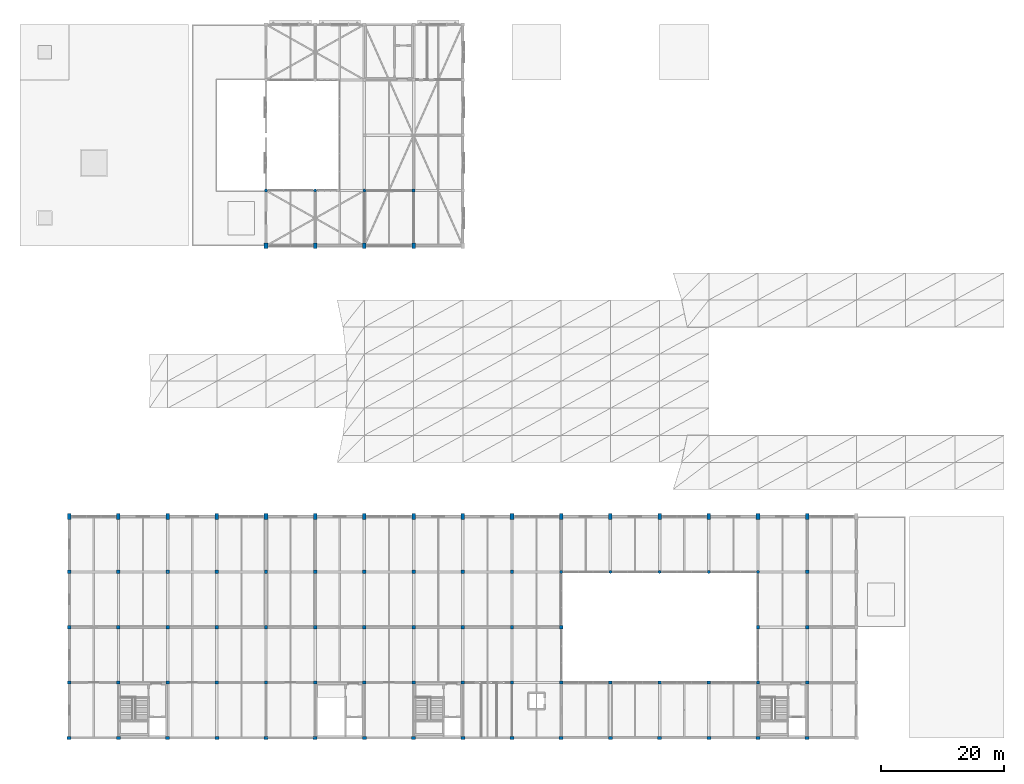
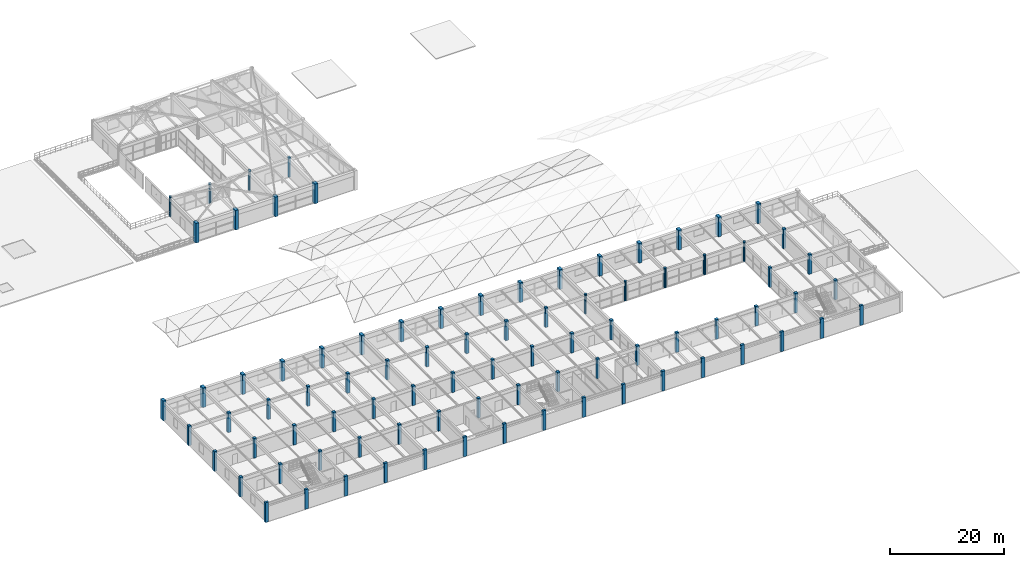
# One storey, part 1 of 63: 85 columns.
"""IFC4 building model written with IfcOpenShell, lengths in metres."""

import ifcopenshell
import ifcopenshell.guid

model = None  # the IFC model being written
_history = None  # IfcOwnerHistory: only IFC2X3 demands one
_inside = {}  # id of a spatial element -> (the spatial element, [elements in it])
_under = {}  # id of a project, library or spatial element -> (it, [spatial elements below it])
_declared = {}  # id of a project -> (the project, [libraries it declares])
_typed = {}  # id of a type object -> (the type object, [elements of that type])
_made_of = {}  # id of a material, layer set ... -> (it, [elements and type objects made of it])


def new_model(schema):
    """Start an empty IFC model of exactly this schema.

    Asked for "IFC4X3", IfcOpenShell would pick the latest addendum, in which some entities
    have other attributes; the version numbers below select the first issue.
    IFC2X3 requires an IfcOwnerHistory on every rooted entity: one is made here for all.
    """
    global model, _history
    if schema == "IFC4X3":
        model = ifcopenshell.file(schema_version=(4, 3, 0, 0))
    else:
        model = ifcopenshell.file(schema=schema)
    _inside.clear()
    _under.clear()
    _declared.clear()
    _typed.clear()
    _made_of.clear()
    _history = None
    if model.schema == "IFC2X3":
        org = make("IfcOrganization", Name="unknown")
        user = make(
            "IfcPersonAndOrganization",
            ThePerson=make("IfcPerson", FamilyName="unknown"),
            TheOrganization=org,
        )
        app = make(
            "IfcApplication",
            ApplicationDeveloper=org,
            Version="unknown",
            ApplicationFullName="unknown",
            ApplicationIdentifier="unknown",
        )
        _history = make(
            "IfcOwnerHistory",
            OwningUser=user,
            OwningApplication=app,
            ChangeAction="ADDED",
            CreationDate=0,
        )
    return model


def make(cls, **values):
    """One entity of the class cls with the attributes given. An attribute that is None is left unset."""
    return model.create_entity(
        cls, **{name: value for name, value in values.items() if value is not None}
    )


def rooted(cls, **values):
    """An entity with a GlobalId (a new one), such as an element, a storey or a relation."""
    return make(cls, GlobalId=ifcopenshell.guid.new(), OwnerHistory=_history, **values)


def si_unit(unit_type, name, prefix=None):
    """IfcSIUnit, for example si_unit("LENGTHUNIT", "METRE", prefix="MILLI")."""
    return make("IfcSIUnit", UnitType=unit_type, Prefix=prefix, Name=name)


def assignment(units):
    """IfcUnitAssignment: the units of a project."""
    return None if units is None else make("IfcUnitAssignment", Units=units)


def point(xyz):
    """IfcCartesianPoint."""
    return None if xyz is None else make("IfcCartesianPoint", Coordinates=xyz)


def direction(xyz):
    """IfcDirection."""
    return None if xyz is None else make("IfcDirection", DirectionRatios=xyz)


def frame(location, z_axis=None, x_axis=None):
    """IfcAxis2Placement3D, a coordinate frame: its origin and axes. An axis left out is left unset."""
    return make(
        "IfcAxis2Placement3D",
        Location=point(location),
        Axis=direction(z_axis),
        RefDirection=direction(x_axis),
    )


def frame_2d(location, x_axis=None):
    """IfcAxis2Placement2D, a coordinate frame in the plane: its origin and x axis."""
    return make(
        "IfcAxis2Placement2D", Location=point(location), RefDirection=direction(x_axis)
    )


def origin():
    """The frame at (0, 0, 0) with its axes left unset."""
    return frame((0.0, 0.0, 0.0))


def origin_2d():
    """The frame at (0, 0) in the plane with its x axis left unset."""
    return frame_2d((0.0, 0.0))


def place(relative_to, where):
    """IfcLocalPlacement: puts the frame where relative to a parent placement (None: the world)."""
    return make(
        "IfcLocalPlacement", PlacementRelTo=relative_to, RelativePlacement=where
    )


def context(
    kind, dimensions, precision=None, world=None, true_north=None, identifier=None
):
    """IfcGeometricRepresentationContext, for example the 3D "Model" context."""
    return make(
        "IfcGeometricRepresentationContext",
        ContextIdentifier=identifier,
        ContextType=kind,
        CoordinateSpaceDimension=dimensions,
        Precision=precision,
        WorldCoordinateSystem=world,
        TrueNorth=true_north,
    )


def subcontext(parent, identifier, kind, view, scale=None):
    """IfcGeometricRepresentationSubContext, for example "Body" below "Model"."""
    return make(
        "IfcGeometricRepresentationSubContext",
        ContextIdentifier=identifier,
        ContextType=kind,
        ParentContext=parent,
        TargetScale=scale,
        TargetView=view,
    )


def project(units=None, contexts=None):
    """IfcProject with its units and contexts."""
    return rooted(
        "IfcProject",
        Name="project",
        RepresentationContexts=contexts,
        UnitsInContext=assignment(units),
    )


def spatial(cls, under=None, at=None, **own):
    """A site, building, storey or space (cls), placed at a placement, below another one or the project."""
    s = rooted(cls, ObjectPlacement=at, **own)
    if under is not None:
        _under.setdefault(under.id(), (under, []))[1].append(s)
    return s


def profile(cls, at=None, kind="AREA", **sizes):
    """A parametric profile (cls). Its sizes go by their IFC names, for example OverallWidth=200.0."""
    return make(cls, ProfileType=kind, Position=at, **sizes)


def rectangle(**sizes):
    """IfcRectangleProfileDef."""
    return profile("IfcRectangleProfileDef", **sizes)


def circle(**sizes):
    """IfcCircleProfileDef."""
    return profile("IfcCircleProfileDef", **sizes)


def extrude(swept, where, along, depth):
    """IfcExtrudedAreaSolid: the profile swept, set in the frame where, extruded along a direction by depth."""
    return make(
        "IfcExtrudedAreaSolid",
        SweptArea=swept,
        Position=where,
        ExtrudedDirection=direction(along),
        Depth=depth,
    )


def shape(context_of_items, identifier, shape_type, items):
    """IfcShapeRepresentation: the items that make up one representation, for example the "Body"."""
    return make(
        "IfcShapeRepresentation",
        ContextOfItems=context_of_items,
        RepresentationIdentifier=identifier,
        RepresentationType=shape_type,
        Items=items,
    )


def material(Name=None, Category=None):
    """IfcMaterial."""
    return make("IfcMaterial", Name=Name, Category=Category)


def material_profile(
    of_material, cross_section, Name=None, Category=None, Priority=None
):
    """IfcMaterialProfile: a cross section and its material."""
    return make(
        "IfcMaterialProfile",
        Name=Name,
        Material=of_material,
        Profile=cross_section,
        Priority=Priority,
        Category=Category,
    )


def profile_set(profiles, Name=None, composite=None):
    """IfcMaterialProfileSet."""
    return make(
        "IfcMaterialProfileSet",
        Name=Name,
        MaterialProfiles=profiles,
        CompositeProfile=composite,
    )


def made_of(thing, what):
    """Note that an element or type object is made of a material, layer set ...; save() writes the relation."""
    if what is not None:
        _made_of.setdefault(what.id(), (what, []))[1].append(thing)
    return thing


def type_object(cls, material=None, **own):
    """A type object (cls), such as IfcWallType, which elements share."""
    return made_of(rooted(cls, **own), material)


def element(
    cls,
    number,
    at=None,
    inside=None,
    cuts=None,
    type_object=None,
    material=None,
    context=None,
    identifier="Body",
    shape_type=None,
    held_by="IfcProductDefinitionShape",
    body=None,
    shapes=None,
    **own,
):
    """One element of the class cls, such as IfcWall. Its Tag is "e" and its number.

    at: its placement. inside: the storey or other place that contains it. cuts: it is an
    opening in that element (IfcRelVoidsElement). A single representation is given by context,
    identifier, shape_type and body (its items); several are given by shapes. held_by: the class
    of the entity that holds the representations. save() writes the other relations.
    """
    e = rooted(cls, Tag="e%d" % number, ObjectPlacement=at, **own)
    if body is not None:
        shapes = [shape(context, identifier, shape_type, body)]
    if shapes is not None:
        e.Representation = make(held_by, Representations=shapes)
    if inside is not None:
        _inside.setdefault(inside.id(), (inside, []))[1].append(e)
    if cuts is not None:
        rooted(
            "IfcRelVoidsElement", RelatingBuildingElement=cuts, RelatedOpeningElement=e
        )
    if type_object is not None:
        _typed.setdefault(type_object.id(), (type_object, []))[1].append(e)
    return made_of(e, material)


def aggregate(whole, parts):
    """IfcRelAggregates: a whole, such as a stair, and the parts it consists of."""
    return rooted("IfcRelAggregates", RelatingObject=whole, RelatedObjects=parts)


def save(model, path):
    """Write the relations noted so far, then the file.

    IfcRelAggregates (storeys below a building ...), IfcRelContainedInSpatialStructure (elements
    in a storey), IfcRelDefinesByType, IfcRelAssociatesMaterial and IfcRelDeclares: one each for
    every whole, place, type object, material and project.
    """
    for whole, parts in _under.values():
        aggregate(whole, parts)
    for where, things in _inside.values():
        rooted(
            "IfcRelContainedInSpatialStructure",
            RelatedElements=things,
            RelatingStructure=where,
        )
    for kind, things in _typed.values():
        rooted("IfcRelDefinesByType", RelatedObjects=things, RelatingType=kind)
    for what, things in _made_of.values():
        rooted("IfcRelAssociatesMaterial", RelatedObjects=things, RelatingMaterial=what)
    for by, libraries in _declared.values():
        rooted("IfcRelDeclares", RelatingContext=by, RelatedDefinitions=libraries)
    model.write(path)


model = new_model("IFC4")

# Units and contexts
model_context = context("Model", 3, precision=1e-05, world=origin(), true_north=direction((0.0, 1.0)))
body_context = subcontext(model_context, "Body", "Model", "MODEL_VIEW")
ifc_project = project(units=[si_unit("LENGTHUNIT", "METRE"), si_unit("AREAUNIT", "SQUARE_METRE"), si_unit("VOLUMEUNIT", "CUBIC_METRE"), si_unit("PLANEANGLEUNIT", "RADIAN"), si_unit("MASSUNIT", "GRAM", prefix="KILO")], contexts=[model_context])

# Site, building, storey
site_placement = place(None, origin())
site = spatial("IfcSite", under=ifc_project, at=site_placement, CompositionType="ELEMENT")
building_placement = place(site_placement, origin())
building = spatial("IfcBuilding", under=site, at=building_placement, Name="Varnabhumi Central Station", CompositionType="ELEMENT")
storey_placement = place(building_placement, frame((0.0, 0.0, 20.39990234375)))
storey = spatial("IfcBuildingStorey", under=building, at=storey_placement, Name="L04", CompositionType="ELEMENT", Elevation=20.39990234375)

# Columns
ifc_material = material(Name="Concrete M40", Category="concrete")
ifc_material_profile_1 = material_profile(ifc_material, rectangle(XDim=0.449951171875, YDim=0.449951171875, at=origin_2d()), Name="Concrete M40", Category="concrete")
ifc_profile_set_1 = profile_set([ifc_material_profile_1], Name="Concrete M40")
column_type_1 = type_object("IfcColumnType", Name="COL-RC-450", PredefinedType="COLUMN", material=ifc_profile_set_1)
column_placement = place(storey_placement, frame((88.0, 89.0, 0.0), z_axis=(0.0, 0.0, 1.0), x_axis=(1.0, 0.0, 0.0)))
element("IfcColumn", 1, at=column_placement, inside=storey, type_object=column_type_1, Name="Column L04-12L", PredefinedType="COLUMN", context=body_context, shape_type="SweptSolid", body=[
    extrude(rectangle(XDim=0.449951171875, YDim=0.449951171875, at=origin_2d()), origin(), (0.0, 0.0, 1.0), 4.2001953125),
])
ifc_material_profile_2 = material_profile(ifc_material, rectangle(XDim=0.550048828125, YDim=0.550048828125, at=origin_2d()), Name="Concrete M40", Category="concrete")
ifc_profile_set_2 = profile_set([ifc_material_profile_2], Name="Concrete M40")
column_type_2 = type_object("IfcColumnType", Name="COL-RC-550", PredefinedType="COLUMN", material=ifc_profile_set_2)
for number, where, z_axis, x_axis, name in (
    (2, (32.0, 9.0, 0.0), (0.0, 0.0, 1.0), (1.0, 0.0, 0.0), "Column L04-5B"),
    (3, (32.0, 18.0, 0.0), (0.0, 0.0, 1.0), (1.0, 0.0, 0.0), "Column L04-5C"),
    (4, (32.0, 27.0, 0.0), (0.0, 0.0, 1.0), (1.0, 0.0, 0.0), "Column L04-5D"),
    (5, (40.0, 9.0, 0.0), (0.0, 0.0, 1.0), (1.0, 0.0, 0.0), "Column L04-6B"),
    (6, (40.0, 18.0, 0.0), (0.0, 0.0, 1.0), (1.0, 0.0, 0.0), "Column L04-6C"),
    (7, (40.0, 27.0, 0.0), (0.0, 0.0, 1.0), (1.0, 0.0, 0.0), "Column L04-6D"),
    (8, (48.0, 9.0, 0.0), (0.0, 0.0, 1.0), (1.0, 0.0, 0.0), "Column L04-7B"),
    (9, (48.0, 18.0, 0.0), (0.0, 0.0, 1.0), (1.0, 0.0, 0.0), "Column L04-7C"),
    (10, (48.0, 27.0, 0.0), (0.0, 0.0, 1.0), (1.0, 0.0, 0.0), "Column L04-7D"),
    (11, (56.0, 9.0, 0.0), (0.0, 0.0, 1.0), (1.0, 0.0, 0.0), "Column L04-8B"),
    (12, (56.0, 18.0, 0.0), (0.0, 0.0, 1.0), (1.0, 0.0, 0.0), "Column L04-8C"),
    (13, (56.0, 27.0, 0.0), (0.0, 0.0, 1.0), (1.0, 0.0, 0.0), "Column L04-8D"),
    (14, (64.0, 9.0, 0.0), (0.0, 0.0, 1.0), (1.0, 0.0, 0.0), "Column L04-9B"),
    (15, (64.0, 18.0, 0.0), (0.0, 0.0, 1.0), (1.0, 0.0, 0.0), "Column L04-9C"),
    (16, (64.0, 27.0, 0.0), (0.0, 0.0, 1.0), (1.0, 0.0, 0.0), "Column L04-9D"),
    (17, (72.0, 9.0, 0.0), (0.0, 0.0, 1.0), (1.0, 0.0, 0.0), "Column L04-10B"),
    (18, (72.0, 18.0, 0.0), (0.0, 0.0, 1.0), (1.0, 0.0, 0.0), "Column L04-10C"),
    (19, (72.0, 27.0, 0.0), (0.0, 0.0, 1.0), (1.0, 0.0, 0.0), "Column L04-10D"),
    (20, (80.0, 9.0, 0.0), (0.0, 0.0, 1.0), (1.0, 0.0, 0.0), "Column L04-11B"),
    (21, (80.0, 18.0, 0.0), (0.0, 0.0, 1.0), (1.0, 0.0, 0.0), "Column L04-11C"),
    (22, (80.0, 27.0, 0.0), (0.0, 0.0, 1.0), (1.0, 0.0, 0.0), "Column L04-11D"),
    (23, (88.0, 9.0, 0.0), (0.0, 0.0, 1.0), (1.0, 0.0, 0.0), "Column L04-12B"),
    (24, (88.0, 18.0, 0.0), (0.0, 0.0, 1.0), (1.0, 0.0, 0.0), "Column L04-12C"),
    (25, (88.0, 27.0, 0.0), (0.0, 0.0, 1.0), (1.0, 0.0, 0.0), "Column L04-12D"),
    (26, (96.0, 9.0, 0.0), (0.0, 0.0, 1.0), (1.0, 0.0, 0.0), "Column L04-13B"),
    (27, (96.0, 18.0, 0.0), (0.0, 0.0, 1.0), (1.0, 0.0, 0.0), "Column L04-13C"),
    (28, (96.0, 27.0, 0.0), (0.0, 0.0, 1.0), (1.0, 0.0, 0.0), "Column L04-13D"),
    (29, (104.0, 9.0, 0.0), (0.0, 0.0, 1.0), (1.0, 0.0, 0.0), "Column L04-14B"),
    (30, (104.0, 18.0, 0.0), (0.0, 0.0, 1.0), (1.0, 0.0, 0.0), "Column L04-14C"),
    (31, (104.0, 27.0, 0.0), (0.0, 0.0, 1.0), (1.0, 0.0, 0.0), "Column L04-14D"),
    (32, (112.0, 9.0, 0.0), (0.0, 0.0, 1.0), (1.0, 0.0, 0.0), "Column L04-15B"),
    (33, (112.0, 18.0, 0.0), (0.0, 0.0, 1.0), (1.0, 0.0, 0.0), "Column L04-15C"),
    (34, (120.0, 9.0, 0.0), (0.0, 0.0, 1.0), (1.0, 0.0, 0.0), "Column L04-16B"),
    (35, (128.0, 9.0, 0.0), (0.0, 0.0, 1.0), (1.0, 0.0, 0.0), "Column L04-17B"),
    (36, (136.0, 9.0, 0.0), (0.0, 0.0, 1.0), (1.0, 0.0, 0.0), "Column L04-18B"),
    (37, (144.0, 9.0, 0.0), (0.0, 0.0, 1.0), (1.0, 0.0, 0.0), "Column L04-19B"),
    (38, (144.0, 18.0, 0.0), (0.0, 0.0, 1.0), (1.0, 0.0, 0.0), "Column L04-19C"),
    (39, (152.0, 9.0, 0.0), (0.0, 0.0, 1.0), (1.0, 0.0, 0.0), "Column L04-20B"),
    (40, (152.0, 18.0, 0.0), (0.0, 0.0, 1.0), (1.0, 0.0, 0.0), "Column L04-20C"),
    (41, (152.0, 27.0, 0.0), (0.0, 0.0, 1.0), (1.0, 0.0, 0.0), "Column L04-20D"),
):
    element("IfcColumn", number, at=place(storey_placement, frame(where, z_axis=z_axis, x_axis=x_axis)), inside=storey, type_object=column_type_2, Name=name, PredefinedType="COLUMN", context=body_context, shape_type="SweptSolid", body=[
        extrude(rectangle(XDim=0.550048828125, YDim=0.550048828125, at=origin_2d()), origin(), (0.0, 0.0, 1.0), 4.2001953125),
    ])
ifc_material_profile_3 = material_profile(ifc_material, rectangle(XDim=0.64990234375, YDim=0.449951171875, at=origin_2d()), Name="Concrete M40", Category="concrete")
ifc_profile_set_3 = profile_set([ifc_material_profile_3], Name="Concrete M40")
column_type_3 = type_object("IfcColumnType", Name="COL-RC-650x450", PredefinedType="PILASTER", material=ifc_profile_set_3)
for number, where, z_axis, x_axis, name in (
    (42, (32.0, 0.0, 0.0), (0.0, 0.0, 1.0), (1.0, 0.0, 0.0), "Column L04-5A"),
    (43, (40.0, 0.0, 0.0), (0.0, 0.0, 1.0), (1.0, 0.0, 0.0), "Column L04-6A"),
    (44, (48.0, 0.0, 0.0), (0.0, 0.0, 1.0), (1.0, 0.0, 0.0), "Column L04-7A"),
    (45, (56.0, 0.0, 0.0), (0.0, 0.0, 1.0), (1.0, 0.0, 0.0), "Column L04-8A"),
    (46, (64.0, 0.0, 0.0), (0.0, 0.0, 1.0), (1.0, 0.0, 0.0), "Column L04-9A"),
    (47, (72.0, 0.0, 0.0), (0.0, 0.0, 1.0), (1.0, 0.0, 0.0), "Column L04-10A"),
    (48, (80.0, 0.0, 0.0), (0.0, 0.0, 1.0), (1.0, 0.0, 0.0), "Column L04-11A"),
    (49, (88.0, 0.0, 0.0), (0.0, 0.0, 1.0), (1.0, 0.0, 0.0), "Column L04-12A"),
    (50, (96.0, 0.0, 0.0), (0.0, 0.0, 1.0), (1.0, 0.0, 0.0), "Column L04-13A"),
    (51, (104.0, 0.0, 0.0), (0.0, 0.0, 1.0), (1.0, 0.0, 0.0), "Column L04-14A"),
    (52, (112.0, 0.0, 0.0), (0.0, 0.0, 1.0), (1.0, 0.0, 0.0), "Column L04-15A"),
    (53, (120.0, 0.0, 0.0), (0.0, 0.0, 1.0), (1.0, 0.0, 0.0), "Column L04-16A"),
    (54, (128.0, 0.0, 0.0), (0.0, 0.0, 1.0), (1.0, 0.0, 0.0), "Column L04-17A"),
    (55, (136.0, 0.0, 0.0), (0.0, 0.0, 1.0), (1.0, 0.0, 0.0), "Column L04-18A"),
    (56, (144.0, 0.0, 0.0), (0.0, 0.0, 1.0), (1.0, 0.0, 0.0), "Column L04-19A"),
    (57, (152.0, 0.0, 0.0), (0.0, 0.0, 1.0), (1.0, 0.0, 0.0), "Column L04-20A"),
):
    element("IfcColumn", number, at=place(storey_placement, frame(where, z_axis=z_axis, x_axis=x_axis)), inside=storey, type_object=column_type_3, Name=name, PredefinedType="PILASTER", context=body_context, shape_type="SweptSolid", body=[
        extrude(rectangle(XDim=0.64990234375, YDim=0.449951171875, at=origin_2d()), origin(), (0.0, 0.0, 1.0), 4.2001953125),
    ])
ifc_material_profile_4 = material_profile(ifc_material, circle(Radius=0.25, at=origin_2d()), Name="Concrete M40", Category="concrete")
ifc_profile_set_4 = profile_set([ifc_material_profile_4], Name="Concrete M40")
column_type_4 = type_object("IfcColumnType", Name="COL-RC-D500", PredefinedType="COLUMN", material=ifc_profile_set_4)
for number, where, z_axis, x_axis, name in (
    (58, (64.0, 89.0, 0.0), (0.0, 0.0, 1.0), (1.0, 0.0, 0.0), "Column L04-9L"),
    (59, (72.0, 89.0, 0.0), (0.0, 0.0, 1.0), (1.0, 0.0, 0.0), "Column L04-10L"),
    (60, (80.0, 89.0, 0.0), (0.0, 0.0, 1.0), (1.0, 0.0, 0.0), "Column L04-11L"),
    (61, (112.0, 27.0, 0.0), (0.0, 0.0, 1.0), (1.0, 0.0, 0.0), "Column L04-15D"),
    (62, (120.0, 27.0, 0.0), (0.0, 0.0, 1.0), (1.0, 0.0, 0.0), "Column L04-16D"),
    (63, (128.0, 27.0, 0.0), (0.0, 0.0, 1.0), (1.0, 0.0, 0.0), "Column L04-17D"),
    (64, (136.0, 27.0, 0.0), (0.0, 0.0, 1.0), (1.0, 0.0, 0.0), "Column L04-18D"),
    (65, (144.0, 27.0, 0.0), (0.0, 0.0, 1.0), (1.0, 0.0, 0.0), "Column L04-19D"),
):
    element("IfcColumn", number, at=place(storey_placement, frame(where, z_axis=z_axis, x_axis=x_axis)), inside=storey, type_object=column_type_4, Name=name, PredefinedType="COLUMN", context=body_context, shape_type="SweptSolid", body=[
        extrude(circle(Radius=0.25, at=origin_2d()), origin(), (0.0, 0.0, 1.0), 4.2001953125),
    ])
ifc_material_profile_5 = material_profile(ifc_material, rectangle(XDim=0.60009765625, YDim=0.89990234375, at=origin_2d()), Name="Concrete M40", Category="concrete")
ifc_profile_set_5 = profile_set([ifc_material_profile_5], Name="Concrete M40")
column_type_5 = type_object("IfcColumnType", Name="COL-SPINE-M40-900x600", PredefinedType="COLUMN", material=ifc_profile_set_5)
for number, where, z_axis, x_axis, name in (
    (66, (32.0, 36.0, 0.0), (0.0, 0.0, 1.0), (1.0, 0.0, 0.0), "Column L04-5E"),
    (67, (40.0, 36.0, 0.0), (0.0, 0.0, 1.0), (1.0, 0.0, 0.0), "Column L04-6E"),
    (68, (48.0, 36.0, 0.0), (0.0, 0.0, 1.0), (1.0, 0.0, 0.0), "Column L04-7E"),
    (69, (56.0, 36.0, 0.0), (0.0, 0.0, 1.0), (1.0, 0.0, 0.0), "Column L04-8E"),
    (70, (64.0, 36.0, 0.0), (0.0, 0.0, 1.0), (1.0, 0.0, 0.0), "Column L04-9E"),
    (71, (64.0, 80.0, 0.0), (0.0, 0.0, 1.0), (1.0, 0.0, 0.0), "Column L04-9K"),
    (72, (72.0, 36.0, 0.0), (0.0, 0.0, 1.0), (1.0, 0.0, 0.0), "Column L04-10E"),
    (73, (72.0, 80.0, 0.0), (0.0, 0.0, 1.0), (1.0, 0.0, 0.0), "Column L04-10K"),
    (74, (80.0, 36.0, 0.0), (0.0, 0.0, 1.0), (1.0, 0.0, 0.0), "Column L04-11E"),
    (75, (80.0, 80.0, 0.0), (0.0, 0.0, 1.0), (1.0, 0.0, 0.0), "Column L04-11K"),
    (76, (88.0, 36.0, 0.0), (0.0, 0.0, 1.0), (1.0, 0.0, 0.0), "Column L04-12E"),
    (77, (88.0, 80.0, 0.0), (0.0, 0.0, 1.0), (1.0, 0.0, 0.0), "Column L04-12K"),
    (78, (96.0, 36.0, 0.0), (0.0, 0.0, 1.0), (1.0, 0.0, 0.0), "Column L04-13E"),
    (79, (104.0, 36.0, 0.0), (0.0, 0.0, 1.0), (1.0, 0.0, 0.0), "Column L04-14E"),
    (80, (112.0, 36.0, 0.0), (0.0, 0.0, 1.0), (1.0, 0.0, 0.0), "Column L04-15E"),
    (81, (120.0, 36.0, 0.0), (0.0, 0.0, 1.0), (1.0, 0.0, 0.0), "Column L04-16E"),
    (82, (128.0, 36.0, 0.0), (0.0, 0.0, 1.0), (1.0, 0.0, 0.0), "Column L04-17E"),
    (83, (136.0, 36.0, 0.0), (0.0, 0.0, 1.0), (1.0, 0.0, 0.0), "Column L04-18E"),
    (84, (144.0, 36.0, 0.0), (0.0, 0.0, 1.0), (1.0, 0.0, 0.0), "Column L04-19E"),
    (85, (152.0, 36.0, 0.0), (0.0, 0.0, 1.0), (1.0, 0.0, 0.0), "Column L04-20E"),
):
    element("IfcColumn", number, at=place(storey_placement, frame(where, z_axis=z_axis, x_axis=x_axis)), inside=storey, type_object=column_type_5, Name=name, PredefinedType="COLUMN", context=body_context, shape_type="SweptSolid", body=[
        extrude(rectangle(XDim=0.60009765625, YDim=0.89990234375, at=origin_2d()), origin(), (0.0, 0.0, 1.0), 4.2001953125),
    ])

save(model, "model.ifc")
